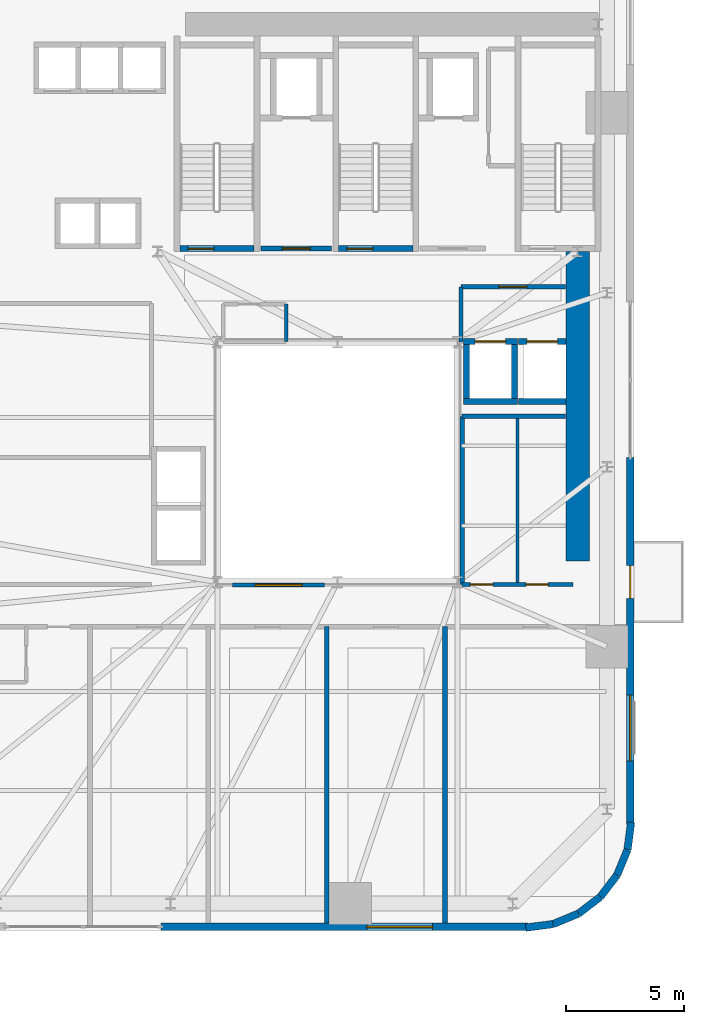
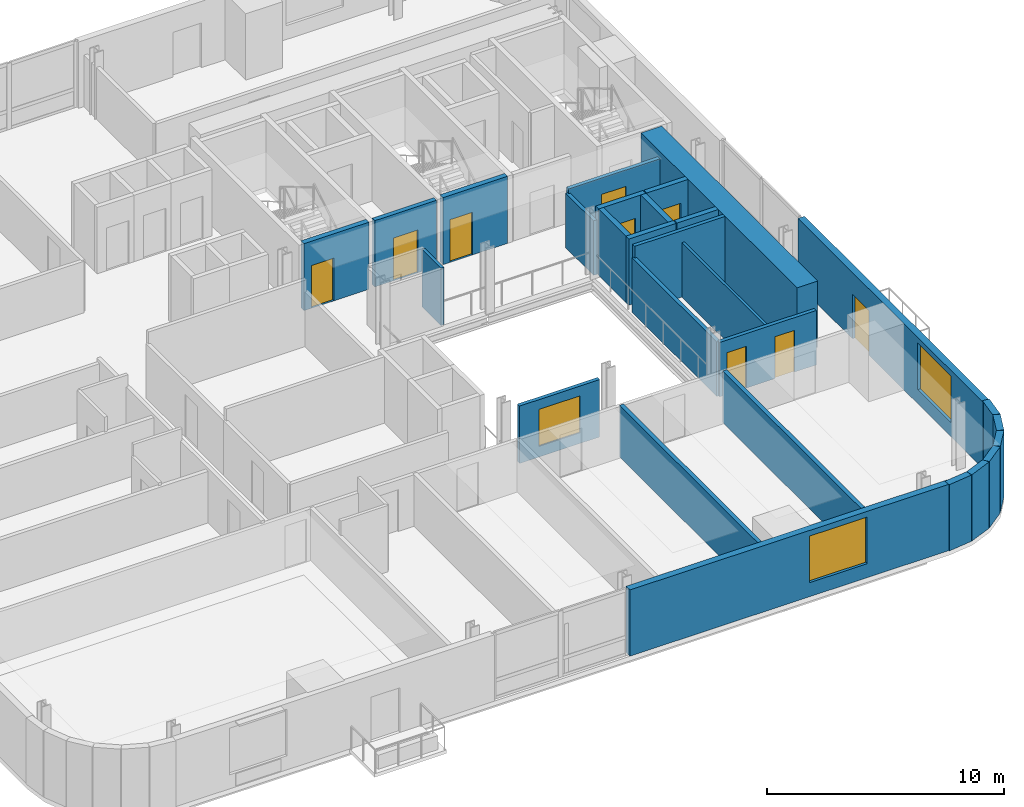
# One storey, part 7 of 11: 28 walls, 9 doors, 3 windows, 12 openings.
"""IFC4 building model written with IfcOpenShell, lengths in metres."""

from ifc_helpers import new_model, si_unit, direction, frame, frame_2d, origin, place, context, subcontext, project, spatial, rectangle, extrude, source, transform, mapped, material, layer, layer_set, type_object, element, fill, save


model = new_model("IFC4")

# Units and contexts
model_context = context("Model", 3, precision=1e-05, world=origin(), true_north=direction((0.0, 1.0)))
body_context = subcontext(model_context, "Body", "Model", "MODEL_VIEW")
ifc_project = project(units=[si_unit("LENGTHUNIT", "METRE"), si_unit("AREAUNIT", "SQUARE_METRE"), si_unit("VOLUMEUNIT", "CUBIC_METRE"), si_unit("PLANEANGLEUNIT", "RADIAN"), si_unit("MASSUNIT", "GRAM", prefix="KILO")], contexts=[model_context])

# Site, building, storey
site_placement = place(None, origin())
site = spatial("IfcSite", under=ifc_project, at=site_placement, CompositionType="ELEMENT")
building_placement = place(site_placement, origin())
building = spatial("IfcBuilding", under=site, at=building_placement, Name="Vardaveli Station Tower", CompositionType="ELEMENT")
storey_placement = place(building_placement, frame((0.0, 0.0, 42.199951171875)))
storey = spatial("IfcBuildingStorey", under=building, at=storey_placement, Name="L10", CompositionType="ELEMENT", Elevation=42.199951171875)

# Wall
ifc_material_1 = material(Name="Concrete C60/75", Category="concrete")
ifc_layer_1 = layer(ifc_material_1, 1.0, Name="Concrete C60/75")
ifc_layer_set_1 = layer_set([ifc_layer_1], Name="Concrete C60/75")
wall_type_1 = type_object("IfcWallType", Name="WAL-CORE-1000", PredefinedType="SHEAR", material=ifc_layer_set_1)
shared_shape_1 = source(origin(), body_context, "Body", "SweptSolid", [
    extrude(rectangle(XDim=13.14990234375, YDim=1.0, at=frame_2d((6.574951171875, 0.0))), origin(), (0.0, 0.0, 1.0), 3.41015625),
])
wall_1_placement = place(storey_placement, frame((46.5, 17.5, 0.0), z_axis=(0.0, 0.0, 1.0), x_axis=(0.0, 1.0, 0.0)))
element("IfcWall", 1, at=wall_1_placement, inside=storey, type_object=wall_type_1, Name="SW-L10-EAST2", PredefinedType="SHEAR", context=body_context, shape_type="MappedRepresentation", body=[
    mapped(shared_shape_1, transform((0.0, 0.0, 0.0), scale=1.0)),
])

# Wall, opening, window
ifc_material_2 = material(Name="Precast concrete C45/55", Category="concrete")
ifc_layer_2 = layer(ifc_material_2, 0.320068359375, Name="Precast concrete C45/55")
ifc_layer_set_2 = layer_set([ifc_layer_2], Name="Precast concrete C45/55")
wall_type_2 = type_object("IfcWallType", Name="WAL-EXT-STONE-320", PredefinedType="SOLIDWALL", material=ifc_layer_set_2)
shared_shape_2 = source(origin(), body_context, "Body", "SweptSolid", [
    extrude(rectangle(XDim=15.599853515625, YDim=0.320068359375, at=frame_2d((7.7998046875, 0.0))), origin(), (0.0, 0.0, 1.0), 3.41015625),
])
wall_2_placement = place(storey_placement, frame((28.800048828125, 1.9599609375, 0.0), z_axis=(0.0, 0.0, 1.0), x_axis=(1.0, 0.0, 0.0)))
wall_2 = element("IfcWall", 2, at=wall_2_placement, inside=storey, type_object=wall_type_2, Name="EW-L10-S2", PredefinedType="SOLIDWALL", context=body_context, shape_type="MappedRepresentation", body=[
    mapped(shared_shape_2, transform((0.0, 0.0, 0.0), scale=1.0)),
])
shared_shape_3 = source(origin(), body_context, "Body", "SweptSolid", [
    extrude(rectangle(XDim=2.800048828125, YDim=2.39990234375, at=frame_2d((1.39990234375, 1.199951171875))), frame((0.0, 0.169921875, 0.0), z_axis=(0.0, -1.0, 0.0), x_axis=(1.0, 0.0, 0.0)), (0.0, 0.0, 1.0), 0.340087890625),
])
opening_1_placement = place(wall_2_placement, frame((8.7451171875, 0.0, 0.719970703125)))
opening_1 = element("IfcOpeningElement", 3, at=opening_1_placement, cuts=wall_2, Name="Opening W-04", PredefinedType="OPENING", context=body_context, shape_type="MappedRepresentation", body=[
    mapped(shared_shape_3, transform((0.0, 0.0, 0.0), scale=1.0)),
])
ifc_material_3 = material(Name="Low-E solar-control glass", Category="glass")
window_type_1 = type_object("IfcWindowType", Name="WIN-SUITE-2800x2400", PartitioningType="SINGLE_PANEL", PredefinedType="WINDOW", material=ifc_material_3)
shared_shape_4 = source(origin(), body_context, "Body", "SweptSolid", [
    extrude(rectangle(XDim=2.800048828125, YDim=2.39990234375, at=frame_2d((1.39990234375, 1.199951171875))), frame((0.0, 0.030029296875, 0.0), z_axis=(0.0, -1.0, 0.0), x_axis=(1.0, 0.0, 0.0)), (0.0, 0.0, 1.0), 0.06005859375),
])
window_1_placement = place(opening_1_placement, origin())
window_1 = element("IfcWindow", 4, at=window_1_placement, inside=storey, type_object=window_type_1, Name="WN-L10-S2", OverallHeight=2.39990234375, OverallWidth=2.800048828125, PartitioningType="SINGLE_PANEL", PredefinedType="WINDOW", context=body_context, shape_type="MappedRepresentation", body=[
    mapped(shared_shape_4, transform((0.0, 0.0, 0.0), scale=1.0)),
])
fill(opening_1, window_1)

# Wall, openings, door, window
wall_3_placement = place(storey_placement, frame((48.739990234375, 6.300048828125, 0.0), z_axis=(0.0, 0.0, 1.0), x_axis=(0.0, 1.0, 0.0)))
wall_3 = element("IfcWall", 5, at=wall_3_placement, inside=storey, type_object=wall_type_2, Name="EW-L10-E1", PredefinedType="SOLIDWALL", context=body_context, shape_type="MappedRepresentation", body=[
    mapped(shared_shape_2, transform((0.0, 0.0, 0.0), scale=1.0)),
])
shared_shape_5 = source(origin(), body_context, "Body", "SweptSolid", [
    extrude(rectangle(XDim=1.39990234375, YDim=2.300048828125, at=frame_2d((0.699951171875, 1.14990234375))), frame((0.0, 0.169921875, 0.0), z_axis=(0.0, -1.0, 0.0), x_axis=(1.0, 0.0, 0.0)), (0.0, 0.0, 1.0), 0.340087890625),
])
opening_2_placement = place(wall_3_placement, frame((9.6103515625, 0.0, 0.0)))
opening_2 = element("IfcOpeningElement", 6, at=opening_2_placement, cuts=wall_3, Name="Opening D-09", PredefinedType="OPENING", context=body_context, shape_type="MappedRepresentation", body=[
    mapped(shared_shape_5, transform((0.0, 0.0, 0.0), scale=1.0)),
])
opening_3_placement = place(wall_3_placement, frame((2.705078125, 0.0, 0.719970703125)))
opening_3 = element("IfcOpeningElement", 7, at=opening_3_placement, cuts=wall_3, Name="Opening W-04", PredefinedType="OPENING", context=body_context, shape_type="MappedRepresentation", body=[
    mapped(shared_shape_3, transform((0.0, 0.0, 0.0), scale=1.0)),
])
ifc_material_4 = material(Name="Thermally broken aluminium glass", Category="aluminium")
door_type_1 = type_object("IfcDoorType", Name="DR-LOG-1400x2300", OperationType="DOUBLE_DOOR_SLIDING", PredefinedType="DOOR", material=ifc_material_4)
shared_shape_6 = source(origin(), body_context, "Body", "SweptSolid", [
    extrude(rectangle(XDim=1.39990234375, YDim=2.300048828125, at=frame_2d((0.699951171875, 1.14990234375))), frame((0.0, 0.02490234375, 0.0), z_axis=(0.0, -1.0, 0.0), x_axis=(1.0, 0.0, 0.0)), (0.0, 0.0, 1.0), 0.050048828125),
])
door_1_placement = place(opening_2_placement, frame((1.39990234375, 0.0, 0.0), z_axis=(0.0, 0.0, 1.0), x_axis=(-1.0, 0.0, 0.0)))
door_1 = element("IfcDoor", 8, at=door_1_placement, inside=storey, type_object=door_type_1, Name="DLG-L10-E", OperationType="DOUBLE_DOOR_SLIDING", OverallHeight=2.300048828125, OverallWidth=1.39990234375, PredefinedType="DOOR", context=body_context, shape_type="MappedRepresentation", body=[
    mapped(shared_shape_6, transform((0.0, 0.0, 0.0), scale=1.0)),
])
fill(opening_2, door_1)
window_2_placement = place(opening_3_placement, origin())
window_2 = element("IfcWindow", 9, at=window_2_placement, inside=storey, type_object=window_type_1, Name="WN-L10-E1", OverallHeight=2.39990234375, OverallWidth=2.800048828125, PartitioningType="SINGLE_PANEL", PredefinedType="WINDOW", context=body_context, shape_type="MappedRepresentation", body=[
    mapped(shared_shape_4, transform((0.0, 0.0, 0.0), scale=1.0)),
])
fill(opening_3, window_2)

# Walls
shared_shape_7 = source(origin(), body_context, "Body", "SweptSolid", [
    extrude(rectangle(XDim=1.170654296875, YDim=0.320068359375, at=frame_2d((0.58544921875, 0.0))), origin(), (0.0, 0.0, 1.0), 3.41015625),
])
wall_4_placement = place(storey_placement, frame((48.62548828125, 5.23974609375, 0.0), z_axis=(0.0, 0.0, 1.0), x_axis=(0.128269133229, 0.991739395941, 0.0)))
element("IfcWall", 10, at=wall_4_placement, inside=storey, type_object=wall_type_2, Name="EW-L10-CR2-6", PredefinedType="SOLIDWALL", context=body_context, shape_type="MappedRepresentation", body=[
    mapped(shared_shape_7, transform((0.0, 0.0, 0.0), scale=1.0)),
])
shared_shape_8 = source(origin(), body_context, "Body", "SweptSolid", [
    extrude(rectangle(XDim=1.1689453125, YDim=0.320068359375, at=frame_2d((0.58447265625, 0.0))), origin(), (0.0, 0.0, 1.0), 3.41015625),
])
for number, where, z_axis, x_axis, name in (
    (11, (47.46875, 3.231201171875, 0.0), (0.0, 0.0, 1.0), (0.608387696831, 0.793639975269, 0.0), "EW-L10-CR2-4"),
    (12, (48.179931640625, 4.158935546875, 0.0), (0.0, 0.0, 1.0), (0.381127904695, 0.924522320046, 0.0), "EW-L10-CR2-5"),
):
    element("IfcWall", number, at=place(storey_placement, frame(where, z_axis=z_axis, x_axis=x_axis)), inside=storey, type_object=wall_type_2, Name=name, PredefinedType="SOLIDWALL", context=body_context, shape_type="MappedRepresentation", body=[
        mapped(shared_shape_8, transform((0.0, 0.0, 0.0), scale=1.0)),
    ])
shared_shape_9 = source(origin(), body_context, "Body", "SweptSolid", [
    extrude(rectangle(XDim=1.168701171875, YDim=0.320068359375, at=frame_2d((0.58447265625, 0.0))), origin(), (0.0, 0.0, 1.0), 3.41015625),
])
wall_5_placement = place(storey_placement, frame((46.541259765625, 2.520263671875, 0.0), z_axis=(0.0, 0.0, 1.0), x_axis=(0.793663520347, 0.608356981114, 0.0)))
element("IfcWall", 13, at=wall_5_placement, inside=storey, type_object=wall_type_2, Name="EW-L10-CR2-3", PredefinedType="SOLIDWALL", context=body_context, shape_type="MappedRepresentation", body=[
    mapped(shared_shape_9, transform((0.0, 0.0, 0.0), scale=1.0)),
])
shared_shape_10 = source(origin(), body_context, "Body", "SweptSolid", [
    extrude(rectangle(XDim=1.16943359375, YDim=0.320068359375, at=frame_2d((0.584716796875, 0.0))), origin(), (0.0, 0.0, 1.0), 3.41015625),
])
wall_6_placement = place(storey_placement, frame((45.460205078125, 2.074462890625, 0.0), z_axis=(0.0, 0.0, 1.0), x_axis=(0.924479075121, 0.381232789334, 0.0)))
element("IfcWall", 14, at=wall_6_placement, inside=storey, type_object=wall_type_2, Name="EW-L10-CR2-2", PredefinedType="SOLIDWALL", context=body_context, shape_type="MappedRepresentation", body=[
    mapped(shared_shape_10, transform((0.0, 0.0, 0.0), scale=1.0)),
])
shared_shape_11 = source(origin(), body_context, "Body", "SweptSolid", [
    extrude(rectangle(XDim=1.170166015625, YDim=0.320068359375, at=frame_2d((0.5849609375, 0.0))), origin(), (0.0, 0.0, 1.0), 3.41015625),
])
wall_7_placement = place(storey_placement, frame((44.299560546875, 1.924560546875, 0.0), z_axis=(0.0, 0.0, 1.0), x_axis=(0.991762485493, 0.128090485085, 0.0)))
element("IfcWall", 15, at=wall_7_placement, inside=storey, type_object=wall_type_2, Name="EW-L10-CR2-1", PredefinedType="SOLIDWALL", context=body_context, shape_type="MappedRepresentation", body=[
    mapped(shared_shape_11, transform((0.0, 0.0, 0.0), scale=1.0)),
])

# Wall, opening, door
ifc_material_5 = material(Name="Concrete C40/50", Category="concrete")
ifc_layer_3 = layer(ifc_material_5, 0.25, Name="Concrete C40/50")
ifc_layer_set_3 = layer_set([ifc_layer_3], Name="Concrete C40/50")
wall_type_3 = type_object("IfcWallType", Name="WAL-SHAFT-250", PredefinedType="SOLIDWALL", material=ifc_layer_set_3)
shared_shape_12 = source(origin(), body_context, "Body", "SweptSolid", [
    extrude(rectangle(XDim=3.14990234375, YDim=0.25, at=frame_2d((1.574951171875, 0.0))), origin(), (0.0, 0.0, 1.0), 3.449951171875),
])
wall_8_placement = place(storey_placement, frame((29.60009765625, 30.77490234375, 0.0), z_axis=(0.0, 0.0, 1.0), x_axis=(1.0, 0.0, 0.0)))
wall_8 = element("IfcWall", 16, at=wall_8_placement, inside=storey, type_object=wall_type_3, Name="W-L10-ST-1S", PredefinedType="SOLIDWALL", context=body_context, shape_type="MappedRepresentation", body=[
    mapped(shared_shape_12, transform((0.0, 0.0, 0.0), scale=1.0)),
])
shared_shape_13 = source(origin(), body_context, "Body", "SweptSolid", [
    extrude(rectangle(XDim=1.10009765625, YDim=2.199951171875, at=frame_2d((0.550048828125, 1.10009765625))), frame((0.0, 0.135009765625, 0.0), z_axis=(0.0, -1.0, 0.0), x_axis=(1.0, 0.0, 0.0)), (0.0, 0.0, 1.0), 0.27001953125),
])
opening_4_placement = place(wall_8_placement, frame((0.35009765625, 0.0, 0.0)))
opening_4 = element("IfcOpeningElement", 17, at=opening_4_placement, cuts=wall_8, Name="Opening D-04", PredefinedType="OPENING", context=body_context, shape_type="MappedRepresentation", body=[
    mapped(shared_shape_13, transform((0.0, 0.0, 0.0), scale=1.0)),
])
ifc_material_6 = material(Name="Steel smokeproof fire doorset", Category="steel")
door_type_2 = type_object("IfcDoorType", Name="DR-ST-1100x2200", OperationType="NOTDEFINED", PredefinedType="DOOR", material=ifc_material_6)
shared_shape_14 = source(origin(), body_context, "Body", "SweptSolid", [
    extrude(rectangle(XDim=1.10009765625, YDim=2.199951171875, at=frame_2d((0.550048828125, 1.10009765625))), frame((0.0, 0.02490234375, 0.0), z_axis=(0.0, -1.0, 0.0), x_axis=(1.0, 0.0, 0.0)), (0.0, 0.0, 1.0), 0.050048828125),
])
door_2_placement = place(opening_4_placement, origin())
door_2 = element("IfcDoor", 18, at=door_2_placement, inside=storey, type_object=door_type_2, Name="DST-1-L10", OperationType="SINGLE_SWING_LEFT", OverallHeight=2.199951171875, OverallWidth=1.10009765625, PredefinedType="DOOR", context=body_context, shape_type="MappedRepresentation", body=[
    mapped(shared_shape_14, transform((0.0, 0.0, 0.0), scale=1.0)),
])
fill(opening_4, door_2)

wall_9_placement = place(storey_placement, frame((36.35009765625, 30.77490234375, 0.0), z_axis=(0.0, 0.0, 1.0), x_axis=(1.0, 0.0, 0.0)))
wall_9 = element("IfcWall", 19, at=wall_9_placement, inside=storey, type_object=wall_type_3, Name="W-L10-ST-2S", PredefinedType="SOLIDWALL", context=body_context, shape_type="MappedRepresentation", body=[
    mapped(shared_shape_12, transform((0.0, 0.0, 0.0), scale=1.0)),
])
opening_5_placement = place(wall_9_placement, frame((0.35009765625, 0.0, 0.0)))
opening_5 = element("IfcOpeningElement", 20, at=opening_5_placement, cuts=wall_9, Name="Opening D-04", PredefinedType="OPENING", context=body_context, shape_type="MappedRepresentation", body=[
    mapped(shared_shape_13, transform((0.0, 0.0, 0.0), scale=1.0)),
])
door_3_placement = place(opening_5_placement, origin())
door_3 = element("IfcDoor", 21, at=door_3_placement, inside=storey, type_object=door_type_2, Name="DST-2-L10", OperationType="SINGLE_SWING_LEFT", OverallHeight=2.199951171875, OverallWidth=1.10009765625, PredefinedType="DOOR", context=body_context, shape_type="MappedRepresentation", body=[
    mapped(shared_shape_14, transform((0.0, 0.0, 0.0), scale=1.0)),
])
fill(opening_5, door_3)

ifc_layer_4 = layer(ifc_material_5, 0.219970703125, Name="Concrete C40/50")
ifc_layer_set_4 = layer_set([ifc_layer_4], Name="Concrete C40/50")
wall_type_4 = type_object("IfcWallType", Name="WAL-FFLOBBY-220", PredefinedType="SOLIDWALL", material=ifc_layer_set_4)
shared_shape_15 = source(origin(), body_context, "Body", "SweptSolid", [
    extrude(rectangle(XDim=3.0, YDim=0.219970703125, at=frame_2d((1.5, 0.0))), origin(), (0.0, 0.0, 1.0), 3.41015625),
])
wall_10_placement = place(storey_placement, frame((33.050048828125, 30.780029296875, 0.0), z_axis=(0.0, 0.0, 1.0), x_axis=(1.0, 0.0, 0.0)))
wall_10 = element("IfcWall", 22, at=wall_10_placement, inside=storey, type_object=wall_type_4, Name="W-L10-FFL1S", PredefinedType="SOLIDWALL", context=body_context, shape_type="MappedRepresentation", body=[
    mapped(shared_shape_15, transform((0.0, 0.0, 0.0), scale=1.0)),
])
shared_shape_16 = source(origin(), body_context, "Body", "SweptSolid", [
    extrude(rectangle(XDim=1.199951171875, YDim=2.199951171875, at=frame_2d((0.60009765625, 1.10009765625))), frame((0.0, 0.1201171875, 0.0), z_axis=(0.0, -1.0, 0.0), x_axis=(1.0, 0.0, 0.0)), (0.0, 0.0, 1.0), 0.239990234375),
])
opening_6_placement = place(wall_10_placement, frame((0.89990234375, 0.0, 0.0)))
opening_6 = element("IfcOpeningElement", 23, at=opening_6_placement, cuts=wall_10, Name="Opening D-03", PredefinedType="OPENING", context=body_context, shape_type="MappedRepresentation", body=[
    mapped(shared_shape_16, transform((0.0, 0.0, 0.0), scale=1.0)),
])
door_type_3 = type_object("IfcDoorType", Name="DR-FFL-1200x2200", OperationType="NOTDEFINED", PredefinedType="DOOR", material=ifc_material_6)
shared_shape_17 = source(origin(), body_context, "Body", "SweptSolid", [
    extrude(rectangle(XDim=1.199951171875, YDim=2.199951171875, at=frame_2d((0.60009765625, 1.10009765625))), frame((0.0, 0.02490234375, 0.0), z_axis=(0.0, -1.0, 0.0), x_axis=(1.0, 0.0, 0.0)), (0.0, 0.0, 1.0), 0.050048828125),
])
door_4_placement = place(opening_6_placement, origin())
door_4 = element("IfcDoor", 24, at=door_4_placement, inside=storey, type_object=door_type_3, Name="DFFL1-L10", OperationType="SINGLE_SWING_LEFT", OverallHeight=2.199951171875, OverallWidth=1.199951171875, PredefinedType="DOOR", context=body_context, shape_type="MappedRepresentation", body=[
    mapped(shared_shape_17, transform((0.0, 0.0, 0.0), scale=1.0)),
])
fill(opening_6, door_4)

# Wall
shared_shape_18 = source(origin(), body_context, "Body", "SweptSolid", [
    extrude(rectangle(XDim=2.300048828125, YDim=0.25, at=frame_2d((1.14990234375, 0.0))), origin(), (0.0, 0.0, 1.0), 3.41015625),
])
wall_11_placement = place(storey_placement, frame((41.64990234375, 24.27490234375, 0.0), z_axis=(0.0, 0.0, 1.0), x_axis=(1.0, 0.0, 0.0)))
element("IfcWall", 25, at=wall_11_placement, inside=storey, type_object=wall_type_3, Name="SHW-SRV-01-L10-S", PredefinedType="SOLIDWALL", context=body_context, shape_type="MappedRepresentation", body=[
    mapped(shared_shape_18, transform((0.0, 0.0, 0.0), scale=1.0)),
])

# Wall, opening, door
wall_12_placement = place(storey_placement, frame((41.64990234375, 26.824951171875, 0.0), z_axis=(0.0, 0.0, 1.0), x_axis=(1.0, 0.0, 0.0)))
wall_12 = element("IfcWall", 26, at=wall_12_placement, inside=storey, type_object=wall_type_3, Name="SHW-SRV-01-L10-N", PredefinedType="SOLIDWALL", context=body_context, shape_type="MappedRepresentation", body=[
    mapped(shared_shape_18, transform((0.0, 0.0, 0.0), scale=1.0)),
])
shared_shape_19 = source(origin(), body_context, "Body", "SweptSolid", [
    extrude(rectangle(XDim=1.300048828125, YDim=2.300048828125, at=frame_2d((0.64990234375, 1.14990234375))), frame((0.0, 0.135009765625, 0.0), z_axis=(0.0, -1.0, 0.0), x_axis=(1.0, 0.0, 0.0)), (0.0, 0.0, 1.0), 0.27001953125),
])
opening_7_placement = place(wall_12_placement, frame((0.5, 0.0, 0.0)))
opening_7 = element("IfcOpeningElement", 27, at=opening_7_placement, cuts=wall_12, Name="Opening LD-03", PredefinedType="OPENING", context=body_context, shape_type="MappedRepresentation", body=[
    mapped(shared_shape_19, transform((0.0, 0.0, 0.0), scale=1.0)),
])
ifc_material_7 = material(Name="Brushed stainless steel", Category="steel")
door_type_4 = type_object("IfcDoorType", Name="DR-LD-1300x2300", OperationType="DOUBLE_DOOR_SLIDING", PredefinedType="DOOR", material=ifc_material_7)
shared_shape_20 = source(origin(), body_context, "Body", "SweptSolid", [
    extrude(rectangle(XDim=1.300048828125, YDim=2.300048828125, at=frame_2d((0.64990234375, 1.14990234375))), frame((0.0, 0.02490234375, 0.0), z_axis=(0.0, -1.0, 0.0), x_axis=(1.0, 0.0, 0.0)), (0.0, 0.0, 1.0), 0.050048828125),
])
door_5_placement = place(opening_7_placement, origin())
door_5 = element("IfcDoor", 28, at=door_5_placement, inside=storey, type_object=door_type_4, Name="LD-SRV-01-L10", OperationType="DOUBLE_DOOR_SLIDING", OverallHeight=2.300048828125, OverallWidth=1.300048828125, PredefinedType="DOOR", context=body_context, shape_type="MappedRepresentation", body=[
    mapped(shared_shape_20, transform((0.0, 0.0, 0.0), scale=1.0)),
])
fill(opening_7, door_5)

# Walls
for number, where, z_axis, x_axis, name in (
    (29, (41.77490234375, 24.39990234375, 0.0), (0.0, 0.0, 1.0), (0.0, 1.0, 0.0), "SHW-SRV-01-L10-W"),
    (30, (43.824951171875, 24.39990234375, 0.0), (0.0, 0.0, 1.0), (0.0, 1.0, 0.0), "SHW-SRV-01-L10-E"),
):
    element("IfcWall", number, at=place(storey_placement, frame(where, z_axis=z_axis, x_axis=x_axis)), inside=storey, type_object=wall_type_3, Name=name, PredefinedType="SOLIDWALL", context=body_context, shape_type="MappedRepresentation", body=[
        mapped(shared_shape_18, transform((0.0, 0.0, 0.0), scale=1.0)),
    ])
shared_shape_21 = source(origin(), body_context, "Body", "SweptSolid", [
    extrude(rectangle(XDim=2.0, YDim=0.25, at=frame_2d((1.0, 0.0))), origin(), (0.0, 0.0, 1.0), 3.41015625),
])
wall_13_placement = place(storey_placement, frame((44.0, 24.27490234375, 0.0), z_axis=(0.0, 0.0, 1.0), x_axis=(1.0, 0.0, 0.0)))
element("IfcWall", 31, at=wall_13_placement, inside=storey, type_object=wall_type_3, Name="SHW-SRV-02-L10-S", PredefinedType="SOLIDWALL", context=body_context, shape_type="MappedRepresentation", body=[
    mapped(shared_shape_21, transform((0.0, 0.0, 0.0), scale=1.0)),
])

# Wall, opening, door
wall_14_placement = place(storey_placement, frame((44.0, 26.824951171875, 0.0), z_axis=(0.0, 0.0, 1.0), x_axis=(1.0, 0.0, 0.0)))
wall_14 = element("IfcWall", 32, at=wall_14_placement, inside=storey, type_object=wall_type_3, Name="SHW-SRV-02-L10-N", PredefinedType="SOLIDWALL", context=body_context, shape_type="MappedRepresentation", body=[
    mapped(shared_shape_21, transform((0.0, 0.0, 0.0), scale=1.0)),
])
opening_8_placement = place(wall_14_placement, frame((0.35009765625, 0.0, 0.0)))
opening_8 = element("IfcOpeningElement", 33, at=opening_8_placement, cuts=wall_14, Name="Opening LD-03", PredefinedType="OPENING", context=body_context, shape_type="MappedRepresentation", body=[
    mapped(shared_shape_19, transform((0.0, 0.0, 0.0), scale=1.0)),
])
door_6_placement = place(opening_8_placement, origin())
door_6 = element("IfcDoor", 34, at=door_6_placement, inside=storey, type_object=door_type_4, Name="LD-SRV-02-L10", OperationType="DOUBLE_DOOR_SLIDING", OverallHeight=2.300048828125, OverallWidth=1.300048828125, PredefinedType="DOOR", context=body_context, shape_type="MappedRepresentation", body=[
    mapped(shared_shape_20, transform((0.0, 0.0, 0.0), scale=1.0)),
])
fill(opening_8, door_6)

ifc_material_8 = material(Name="Fire-rated gypsum stud partition")
ifc_layer_5 = layer(ifc_material_8, 0.179931640625, Name="Fire-rated gypsum stud partition")
ifc_layer_set_5 = layer_set([ifc_layer_5], Name="Fire-rated gypsum stud partition")
wall_type_5 = type_object("IfcWallType", Name="WAL-CORR-180", PredefinedType="PARTITIONING", material=ifc_layer_set_5)
shared_shape_22 = source(origin(), body_context, "Body", "SweptSolid", [
    extrude(rectangle(XDim=4.447998046875, YDim=0.179931640625, at=frame_2d((2.22412109375, 0.0))), origin(), (0.0, 0.0, 1.0), 3.0419921875),
])
wall_15_placement = place(storey_placement, frame((41.550048828125, 29.14990234375, 0.0), z_axis=(0.0, 0.0, 1.0), x_axis=(1.0, 0.0, 0.0)))
wall_15 = element("IfcWall", 35, at=wall_15_placement, inside=storey, type_object=wall_type_5, Name="W-L10-SVFN", PredefinedType="PARTITIONING", context=body_context, shape_type="MappedRepresentation", body=[
    mapped(shared_shape_22, transform((0.0, 0.0, 0.0), scale=1.0)),
])
shared_shape_23 = source(origin(), body_context, "Body", "SweptSolid", [
    extrude(rectangle(XDim=1.199951171875, YDim=2.199951171875, at=frame_2d((0.60009765625, 1.10009765625))), frame((0.0, 0.10009765625, 0.0), z_axis=(0.0, -1.0, 0.0), x_axis=(1.0, 0.0, 0.0)), (0.0, 0.0, 1.0), 0.199951171875),
])
opening_9_placement = place(wall_15_placement, frame((1.60009765625, 0.0, 0.0)))
opening_9 = element("IfcOpeningElement", 36, at=opening_9_placement, cuts=wall_15, Name="Opening D-03", PredefinedType="OPENING", context=body_context, shape_type="MappedRepresentation", body=[
    mapped(shared_shape_23, transform((0.0, 0.0, 0.0), scale=1.0)),
])
door_7_placement = place(opening_9_placement, origin())
door_7 = element("IfcDoor", 37, at=door_7_placement, inside=storey, type_object=door_type_3, Name="D-L10-SVF", OperationType="SINGLE_SWING_LEFT", OverallHeight=2.199951171875, OverallWidth=1.199951171875, PredefinedType="DOOR", context=body_context, shape_type="MappedRepresentation", body=[
    mapped(shared_shape_17, transform((0.0, 0.0, 0.0), scale=1.0)),
])
fill(opening_9, door_7)

# Wall, openings, doors
shared_shape_24 = source(origin(), body_context, "Body", "SweptSolid", [
    extrude(rectangle(XDim=4.699951171875, YDim=0.179931640625, at=frame_2d((2.35009765625, 0.0))), origin(), (0.0, 0.0, 1.0), 2.802001953125),
])
wall_16_placement = place(storey_placement, frame((41.60009765625, 16.5, 0.0), z_axis=(0.0, 0.0, 1.0), x_axis=(1.0, 0.0, 0.0)))
wall_16 = element("IfcWall", 38, at=wall_16_placement, inside=storey, type_object=wall_type_5, Name="W-L10-ATE-S", PredefinedType="PARTITIONING", context=body_context, shape_type="MappedRepresentation", body=[
    mapped(shared_shape_24, transform((0.0, 0.0, 0.0), scale=1.0)),
])
shared_shape_25 = source(origin(), body_context, "Body", "SweptSolid", [
    extrude(rectangle(XDim=0.949951171875, YDim=2.14990234375, at=frame_2d((0.47509765625, 1.074951171875))), frame((0.0, 0.10009765625, 0.0), z_axis=(0.0, -1.0, 0.0), x_axis=(1.0, 0.0, 0.0)), (0.0, 0.0, 1.0), 0.199951171875),
])
opening_10_placement = place(wall_16_placement, frame((0.35009765625, 0.0, 0.0)))
opening_10 = element("IfcOpeningElement", 39, at=opening_10_placement, cuts=wall_16, Name="Opening D-11", PredefinedType="OPENING", context=body_context, shape_type="MappedRepresentation", body=[
    mapped(shared_shape_25, transform((0.0, 0.0, 0.0), scale=1.0)),
])
opening_11_placement = place(wall_16_placement, frame((2.699951171875, 0.0, 0.0)))
opening_11 = element("IfcOpeningElement", 40, at=opening_11_placement, cuts=wall_16, Name="Opening D-11", PredefinedType="OPENING", context=body_context, shape_type="MappedRepresentation", body=[
    mapped(shared_shape_25, transform((0.0, 0.0, 0.0), scale=1.0)),
])
ifc_material_9 = material(Name="Oak veneer internal suite door")
door_type_5 = type_object("IfcDoorType", Name="DR-INT-950x2150", OperationType="NOTDEFINED", PredefinedType="DOOR", material=ifc_material_9)
shared_shape_26 = source(origin(), body_context, "Body", "SweptSolid", [
    extrude(rectangle(XDim=0.949951171875, YDim=2.14990234375, at=frame_2d((0.47509765625, 1.074951171875))), frame((0.0, 0.02490234375, 0.0), z_axis=(0.0, -1.0, 0.0), x_axis=(1.0, 0.0, 0.0)), (0.0, 0.0, 1.0), 0.050048828125),
])
door_8_placement = place(opening_10_placement, origin())
door_8 = element("IfcDoor", 41, at=door_8_placement, inside=storey, type_object=door_type_5, Name="D-L10-ATE1", OperationType="SINGLE_SWING_RIGHT", OverallHeight=2.14990234375, OverallWidth=0.949951171875, PredefinedType="DOOR", context=body_context, shape_type="MappedRepresentation", body=[
    mapped(shared_shape_26, transform((0.0, 0.0, 0.0), scale=1.0)),
])
fill(opening_10, door_8)
door_9_placement = place(opening_11_placement, origin())
door_9 = element("IfcDoor", 42, at=door_9_placement, inside=storey, type_object=door_type_5, Name="D-L10-ATE2", OperationType="SINGLE_SWING_LEFT", OverallHeight=2.14990234375, OverallWidth=0.949951171875, PredefinedType="DOOR", context=body_context, shape_type="MappedRepresentation", body=[
    mapped(shared_shape_26, transform((0.0, 0.0, 0.0), scale=1.0)),
])
fill(opening_11, door_9)

# Walls
shared_shape_27 = source(origin(), body_context, "Body", "SweptSolid", [
    extrude(rectangle(XDim=7.14990234375, YDim=0.179931640625, at=frame_2d((3.574951171875, 0.0))), origin(), (0.0, 0.0, 1.0), 2.802001953125),
])
wall_17_placement = place(storey_placement, frame((41.60009765625, 16.5, 0.0), z_axis=(0.0, 0.0, 1.0), x_axis=(0.0, 1.0, 0.0)))
element("IfcWall", 43, at=wall_17_placement, inside=storey, type_object=wall_type_5, Name="W-L10-ATE-W", PredefinedType="PARTITIONING", context=body_context, shape_type="MappedRepresentation", body=[
    mapped(shared_shape_27, transform((0.0, 0.0, 0.0), scale=1.0)),
])
shared_shape_28 = source(origin(), body_context, "Body", "SweptSolid", [
    extrude(rectangle(XDim=2.349853515625, YDim=0.179931640625, at=frame_2d((1.1748046875, 0.0))), origin(), (0.0, 0.0, 1.0), 2.802001953125),
])
wall_18_placement = place(storey_placement, frame((41.550048828125, 26.800048828125, 0.0), z_axis=(0.0, 0.0, 1.0), x_axis=(0.0, 1.0, 0.0)))
element("IfcWall", 44, at=wall_18_placement, inside=storey, type_object=wall_type_5, Name="W-L10-SVFW", PredefinedType="PARTITIONING", context=body_context, shape_type="MappedRepresentation", body=[
    mapped(shared_shape_28, transform((0.0, 0.0, 0.0), scale=1.0)),
])
ifc_material_10 = material(Name="Gypsum board stud partition")
ifc_layer_6 = layer(ifc_material_10, 0.125, Name="Gypsum board stud partition")
ifc_layer_set_6 = layer_set([ifc_layer_6], Name="Gypsum board stud partition")
wall_type_6 = type_object("IfcWallType", Name="WAL-INT-125", PredefinedType="PARTITIONING", material=ifc_layer_set_6)
shared_shape_29 = source(origin(), body_context, "Body", "SweptSolid", [
    extrude(rectangle(XDim=7.14990234375, YDim=0.125, at=frame_2d((3.574951171875, 0.0))), origin(), (0.0, 0.0, 1.0), 2.802001953125),
])
wall_19_placement = place(storey_placement, frame((43.949951171875, 16.5, 0.0), z_axis=(0.0, 0.0, 1.0), x_axis=(0.0, 1.0, 0.0)))
element("IfcWall", 45, at=wall_19_placement, inside=storey, type_object=wall_type_6, Name="W-L10-ATEM", PredefinedType="PARTITIONING", context=body_context, shape_type="MappedRepresentation", body=[
    mapped(shared_shape_29, transform((0.0, 0.0, 0.0), scale=1.0)),
])
shared_shape_30 = source(origin(), body_context, "Body", "SweptSolid", [
    extrude(rectangle(XDim=4.39794921875, YDim=0.179931640625, at=frame_2d((2.198974609375, 0.0))), origin(), (0.0, 0.0, 1.0), 3.41015625),
])
wall_20_placement = place(storey_placement, frame((41.60009765625, 23.64990234375, 0.0), z_axis=(0.0, 0.0, 1.0), x_axis=(1.0, 0.0, 0.0)))
element("IfcWall", 46, at=wall_20_placement, inside=storey, type_object=wall_type_5, Name="W-L10-ATE-N", PredefinedType="PARTITIONING", context=body_context, shape_type="MappedRepresentation", body=[
    mapped(shared_shape_30, transform((0.0, 0.0, 0.0), scale=1.0)),
])
ifc_material_11 = material(Name="Acoustic twin-stud gypsum partition")
ifc_layer_7 = layer(ifc_material_11, 0.199951171875, Name="Acoustic twin-stud gypsum partition")
ifc_layer_set_7 = layer_set([ifc_layer_7], Name="Acoustic twin-stud gypsum partition")
wall_type_7 = type_object("IfcWallType", Name="WAL-PARTY-200", PredefinedType="PARTITIONING", material=ifc_layer_set_7)
shared_shape_31 = source(origin(), body_context, "Body", "SweptSolid", [
    extrude(rectangle(XDim=12.587890625, YDim=0.199951171875, at=frame_2d((6.2939453125, 0.0))), origin(), (0.0, 0.0, 1.0), 2.652099609375),
])
for number, where, z_axis, x_axis, name in (
    (47, (35.840087890625, 2.1220703125, 0.0), (0.0, 0.0, 1.0), (0.0, 1.0, 0.0), "W-L10-PS4"),
    (48, (40.866943359375, 2.1220703125, 0.0), (0.0, 0.0, 1.0), (0.0, 1.0, 0.0), "W-L10-PS5"),
):
    element("IfcWall", number, at=place(storey_placement, frame(where, z_axis=z_axis, x_axis=x_axis)), inside=storey, type_object=wall_type_7, Name=name, PredefinedType="PARTITIONING", context=body_context, shape_type="MappedRepresentation", body=[
        mapped(shared_shape_31, transform((0.0, 0.0, 0.0), scale=1.0)),
    ])
ifc_material_12 = material(Name="Moisture-resistant stud partition")
ifc_layer_8 = layer(ifc_material_12, 0.14990234375, Name="Moisture-resistant stud partition")
ifc_layer_set_8 = layer_set([ifc_layer_8], Name="Moisture-resistant stud partition")
wall_type_8 = type_object("IfcWallType", Name="WAL-WET-150", PredefinedType="PARTITIONING", material=ifc_layer_set_8)
shared_shape_32 = source(origin(), body_context, "Body", "SweptSolid", [
    extrude(rectangle(XDim=1.599853515625, YDim=0.14990234375, at=frame_2d((0.7998046875, 0.0))), origin(), (0.0, 0.0, 1.0), 2.9521484375),
])
wall_21_placement = place(storey_placement, frame((34.1201171875, 26.820068359375, 0.0), z_axis=(0.0, 0.0, 1.0), x_axis=(0.0, 1.0, 0.0)))
element("IfcWall", 49, at=wall_21_placement, inside=storey, type_object=wall_type_8, Name="W-L10-WCA1-E", PredefinedType="PARTITIONING", context=body_context, shape_type="MappedRepresentation", body=[
    mapped(shared_shape_32, transform((0.0, 0.0, 0.0), scale=1.0)),
])

# Wall, opening, window
shared_shape_33 = source(origin(), body_context, "Body", "SweptSolid", [
    extrude(rectangle(XDim=3.89990234375, YDim=0.179931640625, at=frame_2d((1.949951171875, 0.0))), origin(), (0.0, 0.0, 1.0), 2.9521484375),
])
wall_22_placement = place(storey_placement, frame((31.85009765625, 16.47998046875, 0.0), z_axis=(0.0, 0.0, 1.0), x_axis=(1.0, 0.0, 0.0)))
wall_22 = element("IfcWall", 50, at=wall_22_placement, inside=storey, type_object=wall_type_5, Name="WAT-L10-S", PredefinedType="PARTITIONING", context=body_context, shape_type="MappedRepresentation", body=[
    mapped(shared_shape_33, transform((0.0, 0.0, 0.0), scale=1.0)),
])
shared_shape_34 = source(origin(), body_context, "Body", "SweptSolid", [
    extrude(rectangle(XDim=2.0, YDim=1.89990234375, at=frame_2d((1.0, 0.949951171875))), frame((0.0, 0.10009765625, 0.0), z_axis=(0.0, -1.0, 0.0), x_axis=(1.0, 0.0, 0.0)), (0.0, 0.0, 1.0), 0.199951171875),
])
opening_12_placement = place(wall_22_placement, frame((0.949951171875, 0.0, 0.550048828125)))
opening_12 = element("IfcOpeningElement", 51, at=opening_12_placement, cuts=wall_22, Name="Opening W-07", PredefinedType="OPENING", context=body_context, shape_type="MappedRepresentation", body=[
    mapped(shared_shape_34, transform((0.0, 0.0, 0.0), scale=1.0)),
])
ifc_material_13 = material(Name="Tempered EI 60 fire-rated glass", Category="glass")
window_type_2 = type_object("IfcWindowType", Name="WIN-ATRIUM-2000x2400", PartitioningType="SINGLE_PANEL", PredefinedType="WINDOW", material=ifc_material_13)
shared_shape_35 = source(origin(), body_context, "Body", "SweptSolid", [
    extrude(rectangle(XDim=2.0, YDim=1.89990234375, at=frame_2d((1.0, 0.949951171875))), frame((0.0, 0.030029296875, 0.0), z_axis=(0.0, -1.0, 0.0), x_axis=(1.0, 0.0, 0.0)), (0.0, 0.0, 1.0), 0.06005859375),
])
window_3_placement = place(opening_12_placement, origin())
window_3 = element("IfcWindow", 52, at=window_3_placement, inside=storey, type_object=window_type_2, Name="WNAT-L10-1", OverallHeight=1.89990234375, OverallWidth=2.0, PartitioningType="SINGLE_PANEL", PredefinedType="WINDOW", context=body_context, shape_type="MappedRepresentation", body=[
    mapped(shared_shape_35, transform((0.0, 0.0, 0.0), scale=1.0)),
])
fill(opening_12, window_3)

save(model, "model.ifc")
